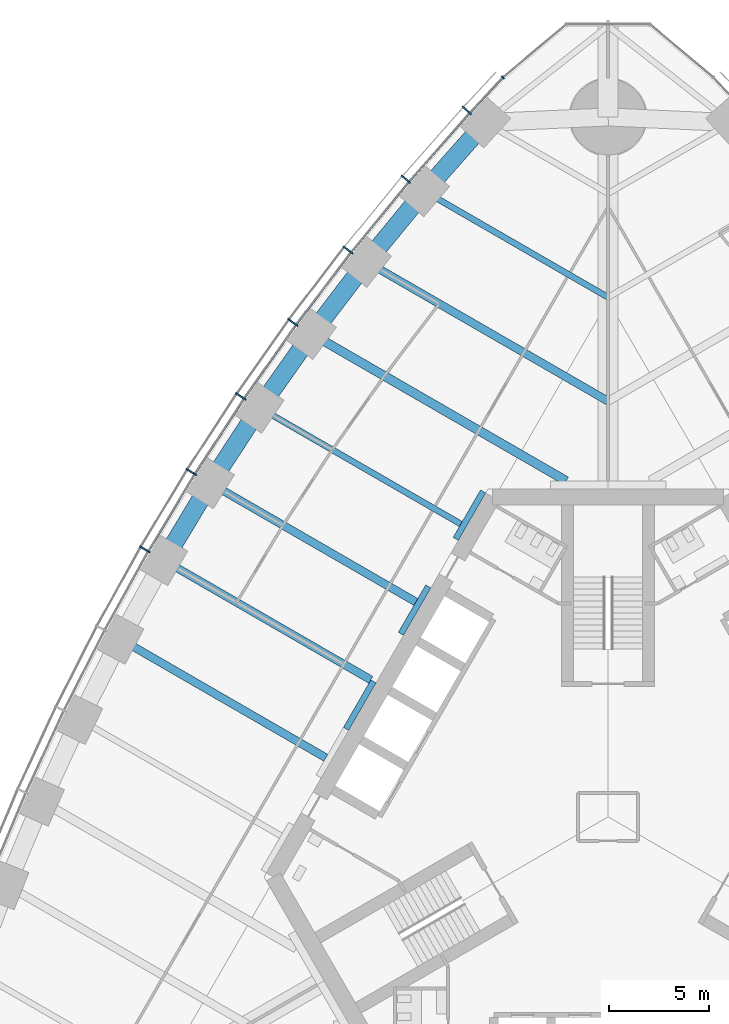
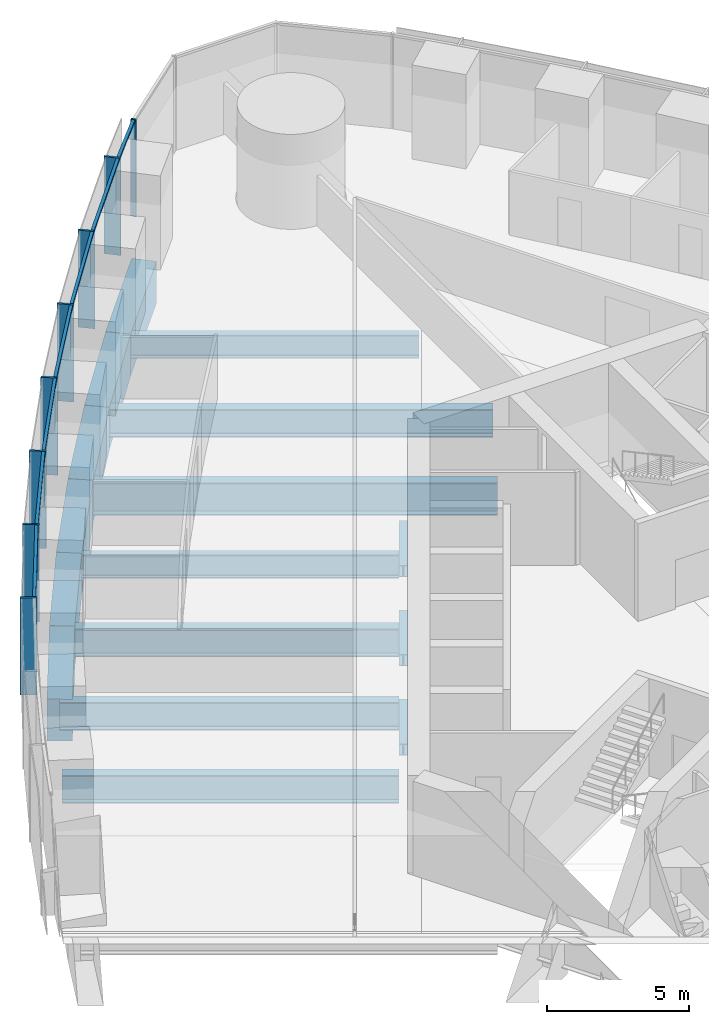
# One storey, part 4 of 19: 16 beams, 15 members, 2 elements without a shape of their own.
"""IFC4 building model written with IfcOpenShell, lengths in metres."""

from ifc_helpers import new_model, si_unit, direction, frame, origin, origin_2d, place, context, subcontext, project, spatial, rectangle, i_section, extrude, material, material_profile, profile_set, type_object, element, aggregate, save


model = new_model("IFC4")

# Units and contexts
model_context = context("Model", 3, precision=1e-05, world=origin(), true_north=direction((0.0, 1.0)))
body_context = subcontext(model_context, "Body", "Model", "MODEL_VIEW")
ifc_project = project(units=[si_unit("LENGTHUNIT", "METRE"), si_unit("AREAUNIT", "SQUARE_METRE"), si_unit("VOLUMEUNIT", "CUBIC_METRE"), si_unit("PLANEANGLEUNIT", "RADIAN"), si_unit("MASSUNIT", "GRAM", prefix="KILO")], contexts=[model_context])

# Site, building, storey
site_placement = place(None, origin())
site = spatial("IfcSite", under=ifc_project, at=site_placement, CompositionType="ELEMENT")
building_placement = place(site_placement, origin())
building = spatial("IfcBuilding", under=site, at=building_placement, Name="Trefoil Bronze Tower", CompositionType="ELEMENT")
storey_placement = place(building_placement, frame((0.0, 0.0, 166.10009765625)))
storey = spatial("IfcBuildingStorey", under=building, at=storey_placement, Name="L38", CompositionType="ELEMENT", Elevation=166.10009765625)

# Curtain wall, members
ifc_material_1 = material(Name="Tinted solar-control glass", Category="glass")
curtain_wall_type_1 = type_object("IfcCurtainWallType", Name="Bronze office curtain wall", PredefinedType="USERDEFINED", material=ifc_material_1)
curtain_wall_1_placement = place(storey_placement, origin())
curtain_wall_1 = element("IfcCurtainWall", 1, at=curtain_wall_1_placement, inside=storey, type_object=curtain_wall_type_1, Name="CW-A L38 F3", ObjectType="CURTAIN WALL", PredefinedType="USERDEFINED")
ifc_material_2 = material(Name="Bronze-finish aluminium", Category="aluminium")
ifc_material_profile_1 = material_profile(ifc_material_2, rectangle(XDim=0.60009765625, YDim=0.080078125, at=origin_2d()), Name="CW-A mullion")
ifc_profile_set_1 = profile_set([ifc_material_profile_1], Name="Bronze-finish aluminium")
member_type_1 = type_object("IfcMemberType", Name="Bronze office curtain wall mullion", PredefinedType="MULLION", material=ifc_profile_set_1)
member_1_placement = place(storey_placement, frame((-7.070068359375, 35.332275390625, 0.0), z_axis=(0.0, 0.0, 1.0), x_axis=(0.740360700327, -0.672209813534, 0.0)))
member_1 = element("IfcMember", 2, at=member_1_placement, type_object=member_type_1, Name="CW-A L38 F3 mullion 2", PredefinedType="MULLION", context=body_context, shape_type="SweptSolid", body=[
    extrude(rectangle(XDim=0.60009765625, YDim=0.080078125, at=origin_2d()), origin(), (0.0, 0.0, 1.0), 4.179931640625),
])
member_2_placement = place(storey_placement, frame((-10.11474609375, 31.8828125, 0.0), z_axis=(0.0, 0.0, 1.0), x_axis=(0.761721651066, -0.647904411389, 0.0)))
member_2 = element("IfcMember", 3, at=member_2_placement, type_object=member_type_1, Name="CW-A L38 F3 mullion 3", PredefinedType="MULLION", context=body_context, shape_type="SweptSolid", body=[
    extrude(rectangle(XDim=0.60009765625, YDim=0.080078125, at=origin_2d()), origin(), (0.0, 0.0, 1.0), 4.179931640625),
])
member_3_placement = place(storey_placement, frame((-13.01220703125, 28.34716796875, 0.0), z_axis=(0.0, 0.0, 1.0), x_axis=(0.78487913905, -0.619648882098, 0.0)))
member_3 = element("IfcMember", 4, at=member_3_placement, type_object=member_type_1, Name="CW-A L38 F3 mullion 4", PredefinedType="MULLION", context=body_context, shape_type="SweptSolid", body=[
    extrude(rectangle(XDim=0.60009765625, YDim=0.080078125, at=origin_2d()), origin(), (0.0, 0.0, 1.0), 4.179931640625),
])
member_4_placement = place(storey_placement, frame((-15.764404296875, 24.7275390625, 0.0), z_axis=(0.0, 0.0, 1.0), x_axis=(0.806874522901, -0.590722865897, 0.0)))
member_4 = element("IfcMember", 5, at=member_4_placement, type_object=member_type_1, Name="CW-A L38 F3 mullion 5", PredefinedType="MULLION", context=body_context, shape_type="SweptSolid", body=[
    extrude(rectangle(XDim=0.60009765625, YDim=0.080078125, at=origin_2d()), origin(), (0.0, 0.0, 1.0), 4.179931640625),
])
member_5_placement = place(storey_placement, frame((-18.373046875, 21.025146484375, 0.0), z_axis=(0.0, 0.0, 1.0), x_axis=(0.827723925749, -0.561135547566, 0.0)))
member_5 = element("IfcMember", 6, at=member_5_placement, type_object=member_type_1, Name="CW-A L38 F3 mullion 6", PredefinedType="MULLION", context=body_context, shape_type="SweptSolid", body=[
    extrude(rectangle(XDim=0.60009765625, YDim=0.080078125, at=origin_2d()), origin(), (0.0, 0.0, 1.0), 4.179931640625),
])
member_6_placement = place(storey_placement, frame((-20.840087890625, 17.24072265625, 0.0), z_axis=(0.0, 0.0, 1.0), x_axis=(0.84743864936, -0.530893337283, 0.0)))
member_6 = element("IfcMember", 7, at=member_6_placement, type_object=member_type_1, Name="CW-A L38 F3 mullion 7", PredefinedType="MULLION", context=body_context, shape_type="SweptSolid", body=[
    extrude(rectangle(XDim=0.60009765625, YDim=0.080078125, at=origin_2d()), origin(), (0.0, 0.0, 1.0), 4.179931640625),
])
member_7_placement = place(storey_placement, frame((-23.166015625, 13.374755859375, 0.0), z_axis=(0.0, 0.0, 1.0), x_axis=(0.866025403784, -0.5, 0.0)))
member_7 = element("IfcMember", 8, at=member_7_placement, type_object=member_type_1, Name="CW-A L38 F3 mullion 8", PredefinedType="MULLION", context=body_context, shape_type="SweptSolid", body=[
    extrude(rectangle(XDim=0.60009765625, YDim=0.080078125, at=origin_2d()), origin(), (0.0, 0.0, 1.0), 4.179931640625),
])
ifc_material_3 = material(Name="Bronze-finish aluminium", Category="aluminium")
ifc_material_profile_2 = material_profile(ifc_material_3, rectangle(XDim=0.1201171875, YDim=0.10009765625, at=origin_2d()), Name="CW-A transom")
ifc_profile_set_2 = profile_set([ifc_material_profile_2], Name="Bronze-finish aluminium")
member_type_2 = type_object("IfcMemberType", Name="Bronze office curtain wall transom", PredefinedType="USERDEFINED", material=ifc_profile_set_2)
member_8_placement = place(storey_placement, frame((-5.296630859375, 36.9384765625, 4.1298828125), z_axis=(-0.682489214428, -0.730895664366, 0.0), x_axis=(0.730895664366, -0.682489214428, 0.0)))
member_8 = element("IfcMember", 9, at=member_8_placement, type_object=member_type_2, Name="CW-A L38 F3 transom 1", ObjectType="TRANSOM", PredefinedType="USERDEFINED", context=body_context, shape_type="SweptSolid", body=[
    extrude(rectangle(XDim=0.1201171875, YDim=0.10009765625, at=origin_2d()), origin(), (0.0, 0.0, 1.0), 2.340087890625),
])
member_9_placement = place(storey_placement, frame((-6.949462890625, 35.166748046875, 4.1298828125), z_axis=(-0.66173618877, -0.749736764786, 0.0), x_axis=(0.749736764786, -0.66173618877, 0.0)))
member_9 = element("IfcMember", 10, at=member_9_placement, type_object=member_type_2, Name="CW-A L38 F3 transom 2", ObjectType="TRANSOM", PredefinedType="USERDEFINED", context=body_context, shape_type="SweptSolid", body=[
    extrude(rectangle(XDim=0.1201171875, YDim=0.10009765625, at=origin_2d()), origin(), (0.0, 0.0, 1.0), 4.510986328125),
])
member_10_placement = place(storey_placement, frame((-9.98876953125, 31.720947265625, 4.1298828125), z_axis=(-0.633848872297, -0.773456919995, 0.0), x_axis=(0.773456919995, -0.633848872297, 0.0)))
member_10 = element("IfcMember", 11, at=member_10_placement, type_object=member_type_2, Name="CW-A L38 F3 transom 3", ObjectType="TRANSOM", PredefinedType="USERDEFINED", context=body_context, shape_type="SweptSolid", body=[
    extrude(rectangle(XDim=0.1201171875, YDim=0.10009765625, at=origin_2d()), origin(), (0.0, 0.0, 1.0), 4.480224609375),
])
member_11_placement = place(storey_placement, frame((-12.880615234375, 28.18994140625, 4.1298828125), z_axis=(-0.605229114572, -0.796051329296, 0.0), x_axis=(0.796051329296, -0.605229114572, 0.0)))
member_11 = element("IfcMember", 12, at=member_11_placement, type_object=member_type_2, Name="CW-A L38 F3 transom 4", ObjectType="TRANSOM", PredefinedType="USERDEFINED", context=body_context, shape_type="SweptSolid", body=[
    extrude(rectangle(XDim=0.1201171875, YDim=0.10009765625, at=origin_2d()), origin(), (0.0, 0.0, 1.0), 4.456298828125),
])
member_12_placement = place(storey_placement, frame((-15.626953125, 24.5751953125, 4.1298828125), z_axis=(-0.576017858824, -0.817437108478, 0.0), x_axis=(0.817437108478, -0.576017858824, 0.0)))
member_12 = element("IfcMember", 13, at=member_12_placement, type_object=member_type_2, Name="CW-A L38 F3 transom 5", ObjectType="TRANSOM", PredefinedType="USERDEFINED", context=body_context, shape_type="SweptSolid", body=[
    extrude(rectangle(XDim=0.1201171875, YDim=0.10009765625, at=origin_2d()), origin(), (0.0, 0.0, 1.0), 4.4384765625),
])
member_13_placement = place(storey_placement, frame((-18.23046875, 20.877685546875, 4.1298828125), z_axis=(-0.546079336226, -0.837733465099, 0.0), x_axis=(0.837733465099, -0.546079336226, 0.0)))
member_13 = element("IfcMember", 14, at=member_13_placement, type_object=member_type_2, Name="CW-A L38 F3 transom 6", ObjectType="TRANSOM", PredefinedType="USERDEFINED", context=body_context, shape_type="SweptSolid", body=[
    extrude(rectangle(XDim=0.1201171875, YDim=0.10009765625, at=origin_2d()), origin(), (0.0, 0.0, 1.0), 4.426513671875),
])
member_14_placement = place(storey_placement, frame((-20.692138671875, 17.0986328125, 4.1298828125), z_axis=(-0.515526794174, -0.856873458854, 0.0), x_axis=(0.856873458854, -0.515526794174, 0.0)))
member_14 = element("IfcMember", 15, at=member_14_placement, type_object=member_type_2, Name="CW-A L38 F3 transom 7", ObjectType="TRANSOM", PredefinedType="USERDEFINED", context=body_context, shape_type="SweptSolid", body=[
    extrude(rectangle(XDim=0.1201171875, YDim=0.10009765625, at=origin_2d()), origin(), (0.0, 0.0, 1.0), 4.4208984375),
])
aggregate(curtain_wall_1, [member_1, member_2, member_3, member_4, member_5, member_6, member_7, member_8, member_9, member_10, member_11, member_12, member_13, member_14])

# Curtain wall, member
ifc_material_4 = material(Name="Tinted solar-control glass", Category="glass")
curtain_wall_type_2 = type_object("IfcCurtainWallType", Name="Bronze rounded corner curtain wall", PredefinedType="USERDEFINED", material=ifc_material_4)
curtain_wall_2_placement = place(storey_placement, origin())
curtain_wall_2 = element("IfcCurtainWall", 16, at=curtain_wall_2_placement, inside=storey, type_object=curtain_wall_type_2, Name="CW-B L38 K2", ObjectType="CURTAIN WALL", PredefinedType="USERDEFINED")
ifc_material_5 = material(Name="Bronze-finish aluminium", Category="aluminium")
ifc_material_profile_3 = material_profile(ifc_material_5, rectangle(XDim=0.199951171875, YDim=0.06005859375, at=origin_2d()), Name="CW-B mullion")
ifc_profile_set_3 = profile_set([ifc_material_profile_3], Name="Bronze-finish aluminium")
member_type_3 = type_object("IfcMemberType", Name="Bronze rounded corner curtain wall mullion", PredefinedType="MULLION", material=ifc_profile_set_3)
member_15_placement = place(storey_placement, frame((-5.260498046875, 36.975830078125, 0.0), z_axis=(0.0, 0.0, 1.0), x_axis=(0.642787609687, -0.766044443119, 0.0)))
member_15 = element("IfcMember", 17, at=member_15_placement, type_object=member_type_3, Name="CW-B L38 K2 mullion 4", PredefinedType="MULLION", context=body_context, shape_type="SweptSolid", body=[
    extrude(rectangle(XDim=0.199951171875, YDim=0.06005859375, at=origin_2d()), origin(), (0.0, 0.0, 1.0), 4.179931640625),
])
aggregate(curtain_wall_2, [member_15])

# Beams
ifc_material_6 = material(Name="Steel C355", Category="steel")
ifc_material_profile_4 = material_profile(ifc_material_6, i_section(OverallWidth=0.300048828125, OverallDepth=0.5, WebThickness=0.014404296875, FlangeThickness=0.028076171875, FilletRadius=0.027099609375, at=origin_2d()), Name="HEB 500")
ifc_profile_set_4 = profile_set([ifc_material_profile_4], Name="Steel C355")
beam_type_1 = type_object("IfcBeamType", Name="Core seat beam HEB 500", PredefinedType="BEAM", material=ifc_profile_set_4)
for number, where, z_axis, x_axis, name in (
    (18, (-6.249755859375, 16.27490234375, -0.4501953125), (-0.500035825175, -0.866004719122, 0.0), (0.866004719122, -0.500035825175, 0.0), "Core seat beam F3/-2 L38"),
    (19, (-8.9921875, 11.52490234375, -0.4501953125), (-0.500035825175, -0.866004719122, 0.0), (0.866004719122, -0.500035825175, 0.0), "Core seat beam F3/-1 L38"),
    (20, (-11.734619140625, 6.77490234375, -0.4501953125), (-0.500035825175, -0.866004719122, 0.0), (0.866004719122, -0.500035825175, 0.0), "Core seat beam F3/+0 L38"),
):
    element("IfcBeam", number, at=place(storey_placement, frame(where, z_axis=z_axis, x_axis=x_axis)), inside=storey, type_object=beam_type_1, Name=name, PredefinedType="BEAM", context=body_context, shape_type="SweptSolid", body=[
        extrude(i_section(OverallWidth=0.300048828125, OverallDepth=0.5, WebThickness=0.014404296875, FlangeThickness=0.028076171875, FilletRadius=0.027099609375, at=origin_2d()), origin(), (0.0, 0.0, 1.0), 2.742431640625),
    ])
ifc_material_7 = material(Name="Steel C355", Category="steel")
ifc_material_profile_5 = material_profile(ifc_material_7, i_section(OverallWidth=0.300048828125, OverallDepth=1.0, WebThickness=0.01904296875, FlangeThickness=0.035888671875, FilletRadius=0.030029296875, at=origin_2d()), Name="HEB 1000")
ifc_profile_set_5 = profile_set([ifc_material_profile_5], Name="Steel C355")
beam_type_2 = type_object("IfcBeamType", Name="Floor beam HEB 1000", PredefinedType="BEAM", material=ifc_profile_set_5)
beam_1_placement = place(storey_placement, frame((-9.181884765625, 31.281982421875, -0.7001953125), z_axis=(0.866021079084, -0.500007490527, 0.0), x_axis=(0.500007490527, 0.866021079084, 0.0)))
element("IfcBeam", 21, at=beam_1_placement, inside=storey, type_object=beam_type_2, Name="Floor beam F3/-5 L38", PredefinedType="BEAM", context=body_context, shape_type="SweptSolid", body=[
    extrude(i_section(OverallWidth=0.300048828125, OverallDepth=1.0, WebThickness=0.01904296875, FlangeThickness=0.035888671875, FilletRadius=0.030029296875, at=origin_2d()), origin(), (0.0, 0.0, 1.0), 10.602294921875),
])
ifc_material_8 = material(Name="Steel C355", Category="steel")
ifc_material_profile_6 = material_profile(ifc_material_8, i_section(OverallWidth=0.302001953125, OverallDepth=1.008056640625, WebThickness=0.02099609375, FlangeThickness=0.0400390625, FilletRadius=0.030029296875, at=origin_2d()), Name="HEM 1000")
ifc_profile_set_6 = profile_set([ifc_material_profile_6], Name="Steel C355")
beam_type_3 = type_object("IfcBeamType", Name="Floor beam HEM 1000", PredefinedType="BEAM", material=ifc_profile_set_6)
beam_2_placement = place(storey_placement, frame((-17.43017578125, 20.45556640625, -0.7041015625), z_axis=(0.866030626868, -0.499990953245, 0.0), x_axis=(0.499990953245, 0.866030626868, 0.0)))
element("IfcBeam", 22, at=beam_2_placement, inside=storey, type_object=beam_type_3, Name="Floor beam F3/-2 L38", PredefinedType="BEAM", context=body_context, shape_type="SweptSolid", body=[
    extrude(i_section(OverallWidth=0.302001953125, OverallDepth=1.008056640625, WebThickness=0.02099609375, FlangeThickness=0.0400390625, FilletRadius=0.030029296875, at=origin_2d()), origin(), (0.0, 0.0, 1.0), 11.622802734375),
])
ifc_material_9 = material(Name="Steel C355", Category="steel")
ifc_material_profile_7 = material_profile(ifc_material_9, i_section(OverallWidth=0.39990234375, OverallDepth=1.199951171875, WebThickness=0.02001953125, FlangeThickness=0.0400390625, FilletRadius=0.010009765625, at=origin_2d()), Name="WPG 1200")
ifc_profile_set_7 = profile_set([ifc_material_profile_7], Name="Steel C355")
beam_type_4 = type_object("IfcBeamType", Name="Floor beam WPG 1200", PredefinedType="BEAM", material=ifc_profile_set_7)
beam_3_placement = place(storey_placement, frame((-12.07666015625, 27.757080078125, -0.800048828125), z_axis=(0.866026983775, -0.499997263366, 0.0), x_axis=(0.499997263366, 0.866026983775, 0.0)))
element("IfcBeam", 23, at=beam_3_placement, inside=storey, type_object=beam_type_4, Name="Floor beam F3/-4 L38", PredefinedType="BEAM", context=body_context, shape_type="SweptSolid", body=[
    extrude(i_section(OverallWidth=0.39990234375, OverallDepth=1.199951171875, WebThickness=0.02001953125, FlangeThickness=0.0400390625, FilletRadius=0.010009765625, at=origin_2d()), origin(), (0.0, 0.0, 1.0), 13.94482421875),
])
beam_4_placement = place(storey_placement, frame((-19.892578125, 16.68115234375, -0.800048828125), z_axis=(0.866024236736, -0.500002021381, 0.0), x_axis=(0.500002021381, 0.866024236736, 0.0)))
element("IfcBeam", 24, at=beam_4_placement, inside=storey, type_object=beam_type_4, Name="Floor beam F3/-1 L38", PredefinedType="BEAM", context=body_context, shape_type="SweptSolid", body=[
    extrude(i_section(OverallWidth=0.39990234375, OverallDepth=1.199951171875, WebThickness=0.02001953125, FlangeThickness=0.0400390625, FilletRadius=0.010009765625, at=origin_2d()), origin(), (0.0, 0.0, 1.0), 11.8681640625),
])
beam_5_placement = place(storey_placement, frame((-22.21337890625, 12.824951171875, -0.800048828125), z_axis=(0.866028062731, -0.499995394541, 0.0), x_axis=(0.499995394541, 0.866028062731, 0.0)))
element("IfcBeam", 25, at=beam_5_placement, inside=storey, type_object=beam_type_4, Name="Floor beam F3/+0 L38", PredefinedType="BEAM", context=body_context, shape_type="SweptSolid", body=[
    extrude(i_section(OverallWidth=0.39990234375, OverallDepth=1.199951171875, WebThickness=0.02001953125, FlangeThickness=0.0400390625, FilletRadius=0.010009765625, at=origin_2d()), origin(), (0.0, 0.0, 1.0), 11.94970703125),
])
beam_6_placement = place(storey_placement, frame((-24.392578125, 8.886962890625, -0.800048828125), z_axis=(0.866024236736, -0.500002021381, 0.0), x_axis=(0.500002021381, 0.866024236736, 0.0)))
element("IfcBeam", 26, at=beam_6_placement, inside=storey, type_object=beam_type_4, Name="Floor beam F3/+1 L38", PredefinedType="BEAM", context=body_context, shape_type="SweptSolid", body=[
    extrude(i_section(OverallWidth=0.39990234375, OverallDepth=1.199951171875, WebThickness=0.02001953125, FlangeThickness=0.0400390625, FilletRadius=0.010009765625, at=origin_2d()), origin(), (0.0, 0.0, 1.0), 11.8681640625),
])
ifc_material_10 = material(Name="Steel C355", Category="steel")
ifc_material_profile_8 = material_profile(ifc_material_10, i_section(OverallWidth=0.449951171875, OverallDepth=1.39990234375, WebThickness=0.02294921875, FlangeThickness=0.044921875, FilletRadius=0.011962890625, at=origin_2d()), Name="WPG 1400")
ifc_profile_set_8 = profile_set([ifc_material_profile_8], Name="Steel C355")
beam_type_5 = type_object("IfcBeamType", Name="Floor beam WPG 1400", PredefinedType="BEAM", material=ifc_profile_set_8)
beam_7_placement = place(storey_placement, frame((-14.825439453125, 24.14794921875, -0.900146484375), z_axis=(0.866027342682, -0.499996641717, 0.0), x_axis=(0.499996641717, 0.866027342682, 0.0)))
element("IfcBeam", 27, at=beam_7_placement, inside=storey, type_object=beam_type_5, Name="Floor beam F3/-3 L38", PredefinedType="BEAM", context=body_context, shape_type="SweptSolid", body=[
    extrude(i_section(OverallWidth=0.449951171875, OverallDepth=1.39990234375, WebThickness=0.02294921875, FlangeThickness=0.044921875, FilletRadius=0.011962890625, at=origin_2d()), origin(), (0.0, 0.0, 1.0), 14.69580078125),
])
ifc_material_11 = material(Name="Concrete B80", Category="concrete")
ifc_material_profile_9 = material_profile(ifc_material_11, rectangle(XDim=0.89990234375, YDim=1.800048828125, at=origin_2d()), Name="RC 900x1800")
ifc_profile_set_9 = profile_set([ifc_material_profile_9], Name="Concrete B80")
beam_type_6 = type_object("IfcBeamType", Name="Spandrel beam RC 900x1800", PredefinedType="SPANDREL", material=ifc_profile_set_9)
beam_8_placement = place(storey_placement, frame((-6.13916015625, 34.72119140625, -1.10009765625), z_axis=(-0.662616326239, -0.748959013699, 0.0), x_axis=(0.748959013699, -0.662616326239, 0.0)))
element("IfcBeam", 28, at=beam_8_placement, inside=storey, type_object=beam_type_6, Name="Spandrel F3.2 L38", PredefinedType="SPANDREL", context=body_context, shape_type="SweptSolid", body=[
    extrude(rectangle(XDim=0.89990234375, YDim=1.800048828125, at=origin_2d()), origin(), (0.0, 0.0, 1.0), 4.592041015625),
])
beam_9_placement = place(storey_placement, frame((-9.181884765625, 31.281982421875, -1.10009765625), z_axis=(-0.634650386838, -0.772799383079, 0.0), x_axis=(0.772799383079, -0.634650386838, 0.0)))
element("IfcBeam", 29, at=beam_9_placement, inside=storey, type_object=beam_type_6, Name="Spandrel F3.3 L38", PredefinedType="SPANDREL", context=body_context, shape_type="SweptSolid", body=[
    extrude(rectangle(XDim=0.89990234375, YDim=1.800048828125, at=origin_2d()), origin(), (0.0, 0.0, 1.0), 4.561279296875),
])
beam_10_placement = place(storey_placement, frame((-12.07666015625, 27.757080078125, -1.10009765625), z_axis=(-0.605898901788, -0.795541652468, 0.0), x_axis=(0.795541652468, -0.605898901788, 0.0)))
element("IfcBeam", 30, at=beam_10_placement, inside=storey, type_object=beam_type_6, Name="Spandrel F3.4 L38", PredefinedType="SPANDREL", context=body_context, shape_type="SweptSolid", body=[
    extrude(rectangle(XDim=0.89990234375, YDim=1.800048828125, at=origin_2d()), origin(), (0.0, 0.0, 1.0), 4.53662109375),
])
beam_11_placement = place(storey_placement, frame((-14.825439453125, 24.14794921875, -1.10009765625), z_axis=(-0.576439228712, -0.81714002203, 0.0), x_axis=(0.81714002203, -0.576439228712, 0.0)))
element("IfcBeam", 31, at=beam_11_placement, inside=storey, type_object=beam_type_6, Name="Spandrel F3.5 L38", PredefinedType="SPANDREL", context=body_context, shape_type="SweptSolid", body=[
    extrude(rectangle(XDim=0.89990234375, YDim=1.800048828125, at=origin_2d()), origin(), (0.0, 0.0, 1.0), 4.5185546875),
])
beam_12_placement = place(storey_placement, frame((-17.43017578125, 20.45556640625, -1.10009765625), z_axis=(-0.546396670296, -0.83752652417, 0.0), x_axis=(0.83752652417, -0.546396670296, 0.0)))
element("IfcBeam", 32, at=beam_12_placement, inside=storey, type_object=beam_type_6, Name="Spandrel F3.6 L38", PredefinedType="SPANDREL", context=body_context, shape_type="SweptSolid", body=[
    extrude(rectangle(XDim=0.89990234375, YDim=1.800048828125, at=origin_2d()), origin(), (0.0, 0.0, 1.0), 4.506591796875),
])
beam_13_placement = place(storey_placement, frame((-19.892578125, 16.68115234375, -1.10009765625), z_axis=(-0.515651979972, -0.856798129988, 0.0), x_axis=(0.856798129988, -0.515651979972, 0.0)))
element("IfcBeam", 33, at=beam_13_placement, inside=storey, type_object=beam_type_6, Name="Spandrel F3.7 L38", PredefinedType="SPANDREL", context=body_context, shape_type="SweptSolid", body=[
    extrude(rectangle(XDim=0.89990234375, YDim=1.800048828125, at=origin_2d()), origin(), (0.0, 0.0, 1.0), 4.500732421875),
])

save(model, "model.ifc")
